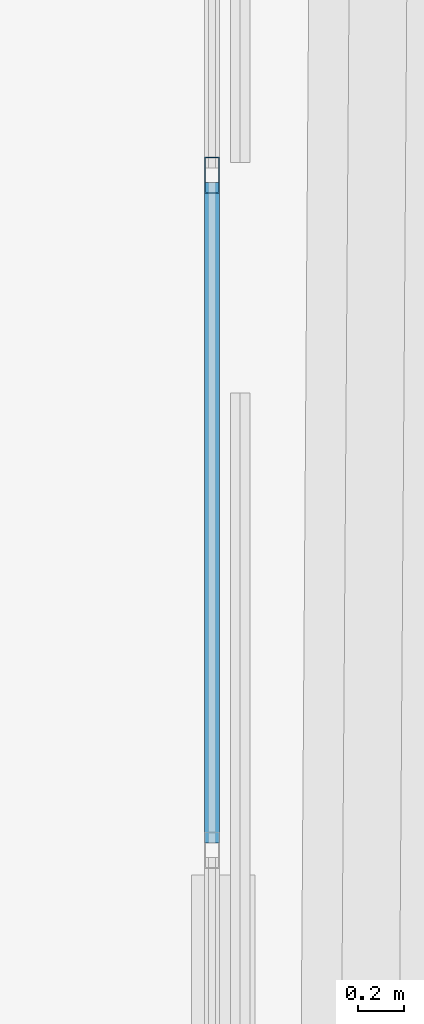
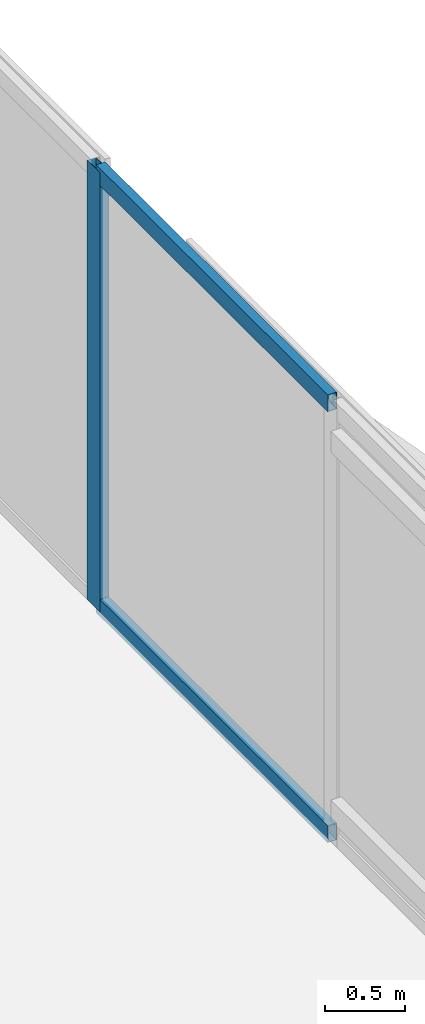
# One storey, part 28 of 50: 3 members, 1 element without a shape of its own.
"""IFC4 building model written with IfcOpenShell, lengths in metres."""

from ifc_helpers import new_model, si_unit, direction, frame, origin, origin_2d, place, context, subcontext, project, spatial, hollow_rectangle, extrude, material, layer, layer_set, material_profile, profile_set, type_object, element, aggregate, save


model = new_model("IFC4")

# Units and contexts
model_context = context("Model", 3, precision=1e-05, world=origin(), true_north=direction((0.0, 1.0)))
body_context = subcontext(model_context, "Body", "Model", "MODEL_VIEW")
ifc_project = project(units=[si_unit("LENGTHUNIT", "METRE"), si_unit("AREAUNIT", "SQUARE_METRE"), si_unit("VOLUMEUNIT", "CUBIC_METRE"), si_unit("PLANEANGLEUNIT", "RADIAN"), si_unit("MASSUNIT", "GRAM", prefix="KILO")], contexts=[model_context])

# Site, building, storey
site_placement = place(None, origin())
site = spatial("IfcSite", under=ifc_project, at=site_placement, CompositionType="ELEMENT")
building_placement = place(site_placement, origin())
building = spatial("IfcBuilding", under=site, at=building_placement, Name="Caelvoria Tower", CompositionType="ELEMENT")
storey_placement = place(building_placement, frame((0.0, 0.0, 71.199951171875)))
storey = spatial("IfcBuildingStorey", under=building, at=storey_placement, Name="L18", CompositionType="ELEMENT", Elevation=71.199951171875)

# Curtain wall, members
ifc_material_1 = material(Name="Anodised Bronze Aluminium and Low-E Glass", Category="aluminium")
ifc_layer = layer(ifc_material_1, 0.18505859375, Name="Anodised Bronze Aluminium and Low-E Glass")
ifc_layer_set = layer_set([ifc_layer], Name="CW System 2 Lower Tower Bronze Unitised Facade - Anodised Bronze Aluminium and Low-E Glass")
curtain_wall_type = type_object("IfcCurtainWallType", Name="CW System 2 Lower Tower Bronze Unitised Facade", PredefinedType="NOTDEFINED", material=ifc_layer_set)
curtain_wall_placement = place(storey_placement, origin())
curtain_wall = element("IfcCurtainWall", 1, at=curtain_wall_placement, inside=storey, type_object=curtain_wall_type, Name="CW-02 Curtain Wall L18-E2", PredefinedType="NOTDEFINED")
ifc_material_2 = material(Name="Anodised Bronze Architectural Aluminium", Category="aluminium")
ifc_material_profile_1 = material_profile(ifc_material_2, hollow_rectangle(XDim=0.06494140625, YDim=0.159912109375, WallThickness=0.00390625, at=origin_2d()), Name="Anodised Bronze Architectural Aluminium")
ifc_profile_set_1 = profile_set([ifc_material_profile_1], Name="CW_MULL_65X160 - Anodised Bronze Architectural Aluminium")
member_type_1 = type_object("IfcMemberType", Name="Curtain Wall Mullion 65x160 Bronze Aluminium", PredefinedType="MULLION", material=ifc_profile_set_1)
member_1_placement = place(storey_placement, frame((70.820068359375, 40.89990234375, 0.0), z_axis=(0.0, 0.0, 1.0), x_axis=(-1.0, 0.0, 0.0)))
member_1 = element("IfcMember", 2, at=member_1_placement, type_object=member_type_1, Name="CW-02 mullion 10", PredefinedType="MULLION", context=body_context, shape_type="SweptSolid", body=[
    extrude(hollow_rectangle(XDim=0.06494140625, YDim=0.159912109375, WallThickness=0.00390625, at=origin_2d()), origin(), (0.0, 0.0, 1.0), 3.360107421875),
])
ifc_material_profile_2 = material_profile(ifc_material_2, hollow_rectangle(XDim=0.06494140625, YDim=0.1298828125, WallThickness=0.00341796875, at=origin_2d()), Name="Anodised Bronze Architectural Aluminium")
ifc_profile_set_2 = profile_set([ifc_material_profile_2], Name="CW_TRAN_65X130 - Anodised Bronze Architectural Aluminium")
member_type_2 = type_object("IfcMemberType", Name="Curtain Wall Transom 65x130 Bronze Aluminium", PredefinedType="USERDEFINED", material=ifc_profile_set_2)
member_2_placement = place(storey_placement, frame((70.820068359375, 37.9658203125, 0.032470703125), z_axis=(0.0, 1.0, 0.0), x_axis=(-1.0, 0.0, 0.0)))
member_2 = element("IfcMember", 3, at=member_2_placement, type_object=member_type_2, Name="CW-02 transom 9.1", ObjectType="TRANSOM", PredefinedType="USERDEFINED", context=body_context, shape_type="SweptSolid", body=[
    extrude(hollow_rectangle(XDim=0.06494140625, YDim=0.1298828125, WallThickness=0.00341796875, at=origin_2d()), origin(), (0.0, 0.0, 1.0), 2.901611328125),
])
member_3_placement = place(storey_placement, frame((70.820068359375, 37.9658203125, 3.32763671875), z_axis=(0.0, 1.0, 0.0), x_axis=(-1.0, 0.0, 0.0)))
member_3 = element("IfcMember", 4, at=member_3_placement, type_object=member_type_2, Name="CW-02 transom 9.2", ObjectType="TRANSOM", PredefinedType="USERDEFINED", context=body_context, shape_type="SweptSolid", body=[
    extrude(hollow_rectangle(XDim=0.06494140625, YDim=0.1298828125, WallThickness=0.00341796875, at=origin_2d()), origin(), (0.0, 0.0, 1.0), 2.901611328125),
])
aggregate(curtain_wall, [member_1, member_2, member_3])

save(model, "model.ifc")
